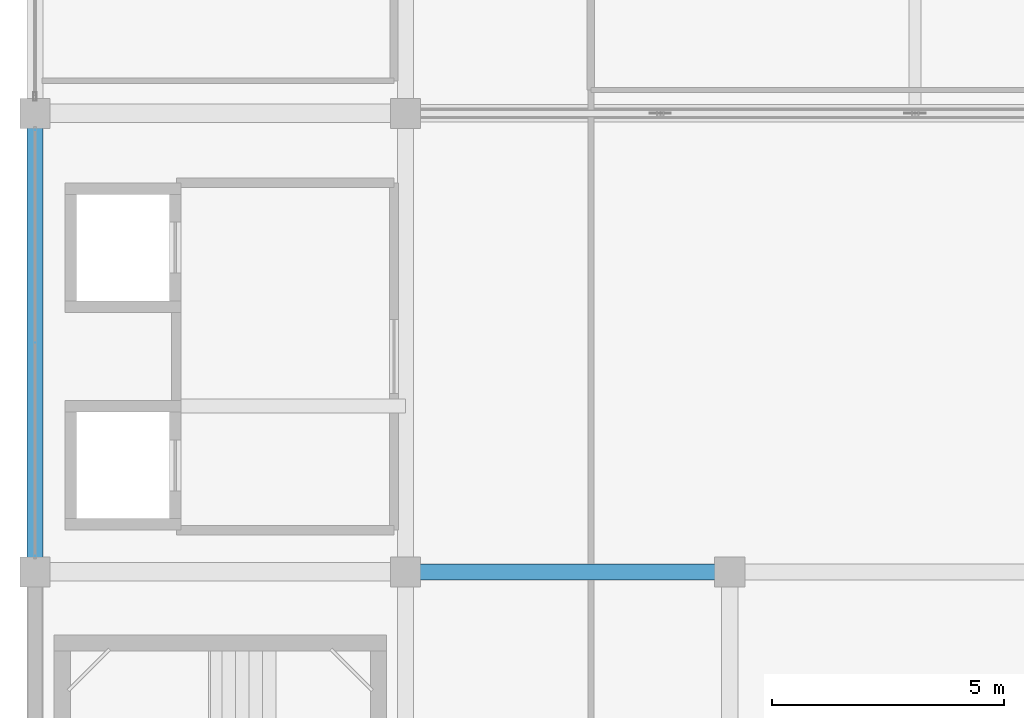
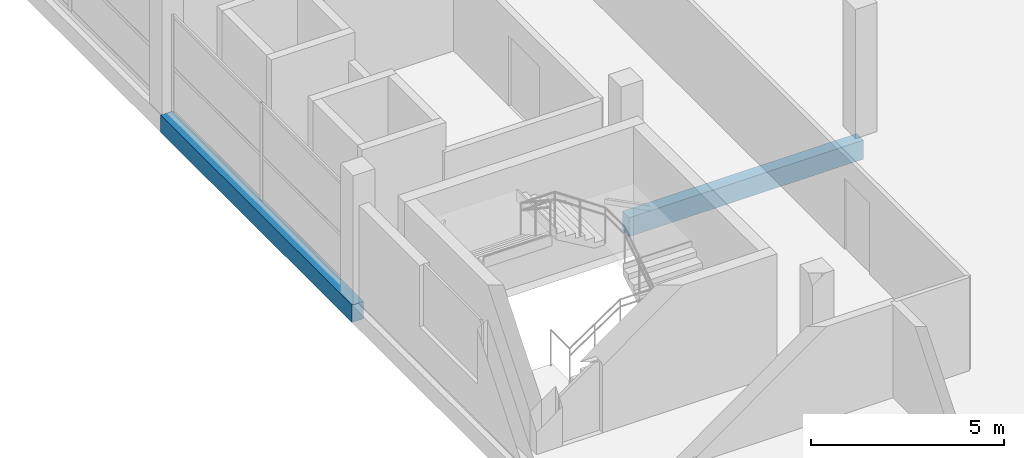
# One storey, part 7 of 53: 2 beams.
"""IFC4 building model written with IfcOpenShell, lengths in metres."""

from ifc_helpers import new_model, si_unit, direction, frame, origin, origin_2d, place, context, subcontext, project, spatial, rectangle, extrude, material, material_profile, profile_set, type_object, element, save


model = new_model("IFC4")

# Units and contexts
model_context = context("Model", 3, precision=1e-05, world=origin(), true_north=direction((0.0, 1.0)))
body_context = subcontext(model_context, "Body", "Model", "MODEL_VIEW")
ifc_project = project(units=[si_unit("LENGTHUNIT", "METRE"), si_unit("AREAUNIT", "SQUARE_METRE"), si_unit("VOLUMEUNIT", "CUBIC_METRE"), si_unit("PLANEANGLEUNIT", "RADIAN"), si_unit("MASSUNIT", "GRAM", prefix="KILO")], contexts=[model_context])

# Site, building, storey
site_placement = place(None, origin())
site = spatial("IfcSite", under=ifc_project, at=site_placement, CompositionType="ELEMENT")
building_placement = place(site_placement, origin())
building = spatial("IfcBuilding", under=site, at=building_placement, Name="Sillaruma Civic Art Gallery", CompositionType="ELEMENT")
storey_placement = place(building_placement, frame((0.0, 0.0, 70.3798828125)))
storey = spatial("IfcBuildingStorey", under=building, at=storey_placement, Name="L14", CompositionType="ELEMENT", Elevation=70.3798828125)

# Beams
ifc_material = material(Name="Concrete H35 (35 MPa)", Category="concrete")
ifc_material_profile_1 = material_profile(ifc_material, rectangle(XDim=0.35009765625, YDim=0.60009765625, at=origin_2d()), Name="RCB350x600")
ifc_profile_set_1 = profile_set([ifc_material_profile_1], Name="Concrete H35 (35 MPa)")
beam_type_1 = type_object("IfcBeamType", Name="BM-BEAM-RCB350x600", PredefinedType="BEAM", material=ifc_profile_set_1)
beam_1_placement = place(storey_placement, frame((70.0, 39.60009765625, -0.5498046875), z_axis=(1.0, 0.0, 0.0), x_axis=(0.0, 1.0, 0.0)))
element("IfcBeam", 1, at=beam_1_placement, inside=storey, type_object=beam_type_1, Name="Beam BM-06 (L13:5:G-H)", PredefinedType="BEAM", context=body_context, shape_type="SweptSolid", body=[
    extrude(rectangle(XDim=0.35009765625, YDim=0.60009765625, at=origin_2d()), origin(), (0.0, 0.0, 1.0), 7.0),
])
ifc_material_profile_2 = material_profile(ifc_material, rectangle(XDim=0.35009765625, YDim=0.550048828125, at=origin_2d()), Name="RCB350x550")
ifc_profile_set_2 = profile_set([ifc_material_profile_2], Name="Concrete H35 (35 MPa)")
beam_type_2 = type_object("IfcBeamType", Name="BM-SPANDREL-RCB350x550", PredefinedType="SPANDREL", material=ifc_profile_set_2)
beam_2_placement = place(storey_placement, frame((62.0, 39.60009765625, -0.52490234375), z_axis=(0.0, 1.0, 0.0), x_axis=(-1.0, 0.0, 0.0)))
element("IfcBeam", 2, at=beam_2_placement, inside=storey, type_object=beam_type_2, Name="Beam BS-04 (L13:F:5-6)", PredefinedType="SPANDREL", context=body_context, shape_type="SweptSolid", body=[
    extrude(rectangle(XDim=0.35009765625, YDim=0.550048828125, at=origin_2d()), origin(), (0.0, 0.0, 1.0), 9.89990234375),
])

save(model, "model.ifc")
